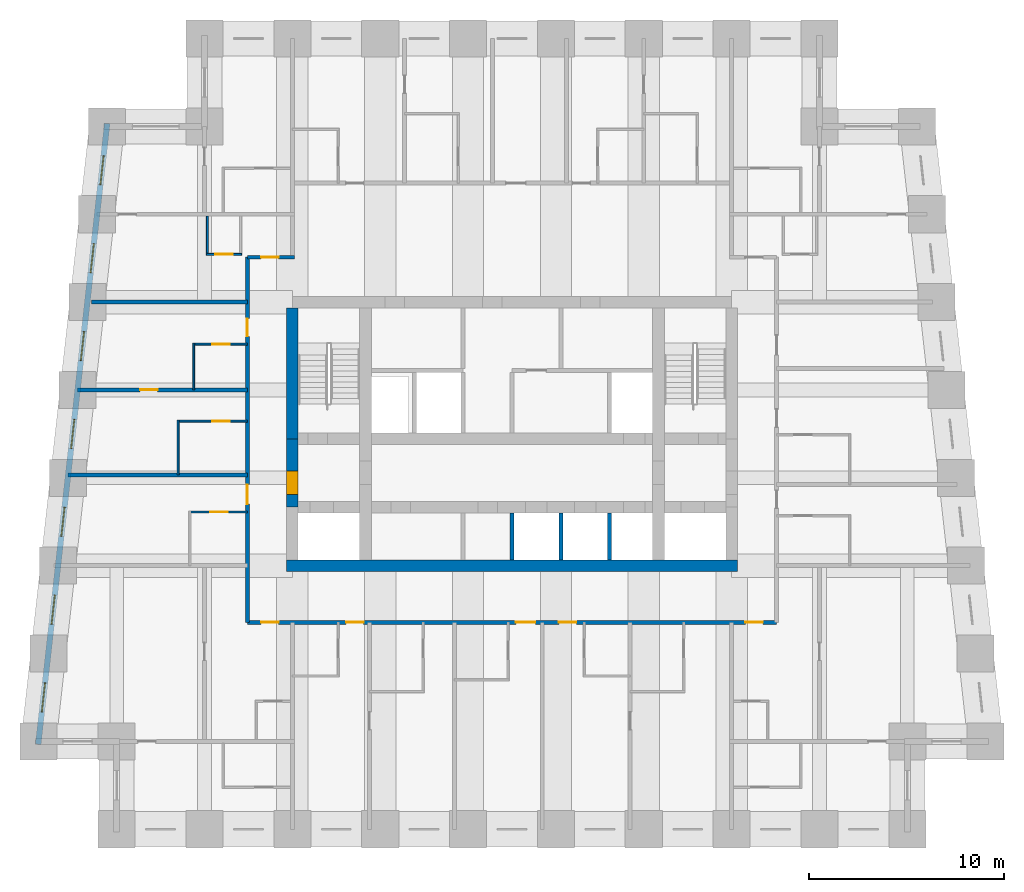
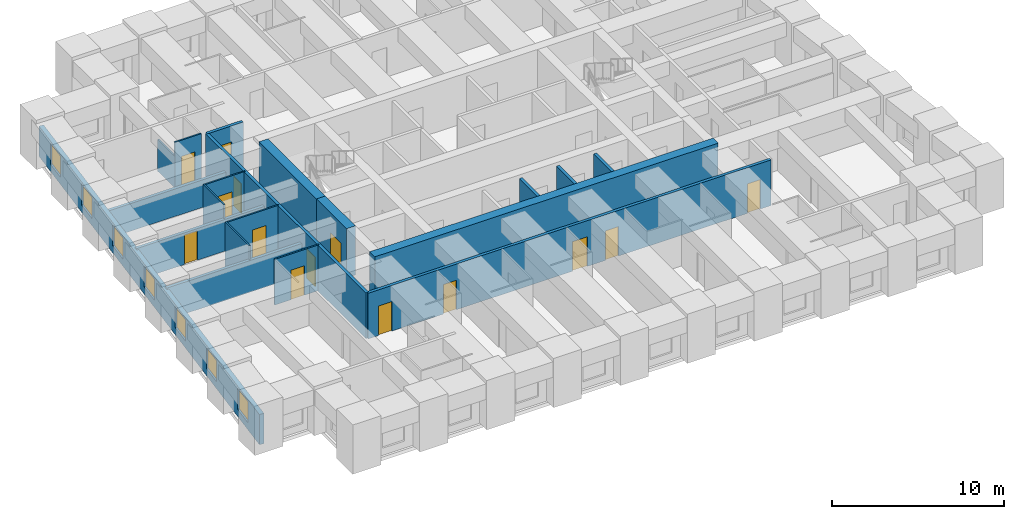
# One storey, part 3 of 8: 20 walls, 14 doors, 7 windows, 21 openings.
"""IFC4 building model written with IfcOpenShell, lengths in metres."""

from ifc_helpers import new_model, si_unit, direction, frame, frame_2d, origin, place, context, subcontext, project, spatial, rectangle, extrude, material, layer, layer_set, type_object, element, fill, save


model = new_model("IFC4")

# Units and contexts
model_context = context("Model", 3, precision=1e-05, world=origin(), true_north=direction((0.0, 1.0)))
body_context = subcontext(model_context, "Body", "Model", "MODEL_VIEW")
ifc_project = project(units=[si_unit("LENGTHUNIT", "METRE"), si_unit("AREAUNIT", "SQUARE_METRE"), si_unit("VOLUMEUNIT", "CUBIC_METRE"), si_unit("PLANEANGLEUNIT", "RADIAN"), si_unit("MASSUNIT", "GRAM", prefix="KILO")], contexts=[model_context])

# Site, building, storey
site_placement = place(None, origin())
site = spatial("IfcSite", under=ifc_project, at=site_placement, CompositionType="ELEMENT")
building_placement = place(site_placement, origin())
building = spatial("IfcBuilding", under=site, at=building_placement, Name="Kilele Tower Hotel", CompositionType="ELEMENT")
storey_placement = place(building_placement, frame((0.0, 0.0, 117.89990234375)))
storey = spatial("IfcBuildingStorey", under=building, at=storey_placement, Name="L30", CompositionType="ELEMENT", Elevation=117.89990234375)

# Wall, opening, door
ifc_material_1 = material(Name="Moisture-resistant board")
ifc_layer_1 = layer(ifc_material_1, 0.10009765625)
ifc_layer_set_1 = layer_set([ifc_layer_1], Name="Moisture-resistant board")
wall_type_1 = type_object("IfcWallType", Name="Bathroom partition 100", PredefinedType="PLUMBINGWALL", material=ifc_layer_set_1)
wall_1_placement = place(storey_placement, frame((11.199951171875, 16.25, 0.0), z_axis=(0.0, 0.0, 1.0), x_axis=(-1.0, 0.0, 0.0)))
wall_1 = element("IfcWall", 1, at=wall_1_placement, inside=storey, type_object=wall_type_1, Name="Bathroom partition 100 L30", PredefinedType="PLUMBINGWALL", context=body_context, shape_type="SweptSolid", body=[
    extrude(rectangle(XDim=3.0, YDim=0.10009765625, at=frame_2d((1.5, 0.0))), origin(), (0.0, 0.0, 1.0), 3.25),
])
opening_1_placement = place(wall_1_placement, frame((1.89990234375, 0.0, 0.0), z_axis=(0.0, 0.0, 1.0), x_axis=(-1.0, 0.0, 0.0)))
opening_1 = element("IfcOpeningElement", 2, at=opening_1_placement, cuts=wall_1, Name="Opening D2A", PredefinedType="OPENING", context=body_context, shape_type="SweptSolid", body=[
    extrude(rectangle(XDim=0.89990234375, YDim=2.10009765625, at=frame_2d((0.449951171875, 1.050048828125))), frame((0.0, 0.06005859375, 0.0), z_axis=(0.0, -1.0, 0.0), x_axis=(1.0, 0.0, 0.0)), (0.0, 0.0, 1.0), 0.1201171875),
])
ifc_material_2 = material(Name="Timber door leaf in hardwood frame", Category="wood")
door_type_1 = type_object("IfcDoorType", Name="Bathroom door 900", OperationType="SINGLE_SWING_LEFT", PredefinedType="DOOR", material=ifc_material_2)
door_1_placement = place(opening_1_placement, origin())
door_1 = element("IfcDoor", 3, at=door_1_placement, inside=storey, type_object=door_type_1, Name="Bathroom door 3014B", OperationType="SINGLE_SWING_RIGHT", OverallHeight=2.10009765625, OverallWidth=0.89990234375, PredefinedType="DOOR", context=body_context, shape_type="SweptSolid", body=[
    extrude(rectangle(XDim=0.89990234375, YDim=2.10009765625, at=frame_2d((0.449951171875, 1.050048828125))), frame((0.0, 0.02490234375, 0.0), z_axis=(0.0, -1.0, 0.0), x_axis=(1.0, 0.0, 0.0)), (0.0, 0.0, 1.0), 0.050048828125),
])
fill(opening_1, door_1)

# Wall
wall_2_placement = place(storey_placement, frame((7.64990234375, 18.14990234375, 0.0), z_axis=(0.0, 0.0, 1.0), x_axis=(0.0, 1.0, 0.0)))
element("IfcWall", 4, at=wall_2_placement, inside=storey, type_object=wall_type_1, Name="Bathroom partition 100 L30", PredefinedType="PLUMBINGWALL", context=body_context, shape_type="SweptSolid", body=[
    extrude(rectangle(XDim=2.800048828125, YDim=0.10009765625, at=frame_2d((1.39990234375, 0.0))), origin(), (0.0, 0.0, 1.0), 3.25),
])

# Wall, opening, door
wall_3_placement = place(storey_placement, frame((11.199951171875, 20.89990234375, 0.0), z_axis=(0.0, 0.0, 1.0), x_axis=(-1.0, 0.0, 0.0)))
wall_3 = element("IfcWall", 5, at=wall_3_placement, inside=storey, type_object=wall_type_1, Name="Bathroom partition 100 L30", PredefinedType="PLUMBINGWALL", context=body_context, shape_type="SweptSolid", body=[
    extrude(rectangle(XDim=3.599853515625, YDim=0.10009765625, at=frame_2d((1.7998046875, 0.0))), origin(), (0.0, 0.0, 1.0), 3.25),
])
opening_2_placement = place(wall_3_placement, frame((1.7998046875, 0.0, 0.0), z_axis=(0.0, 0.0, 1.0), x_axis=(-1.0, 0.0, 0.0)))
opening_2 = element("IfcOpeningElement", 6, at=opening_2_placement, cuts=wall_3, Name="Opening D2A", PredefinedType="OPENING", context=body_context, shape_type="SweptSolid", body=[
    extrude(rectangle(XDim=0.89990234375, YDim=2.10009765625, at=frame_2d((0.449951171875, 1.050048828125))), frame((0.0, 0.06005859375, 0.0), z_axis=(0.0, -1.0, 0.0), x_axis=(1.0, 0.0, 0.0)), (0.0, 0.0, 1.0), 0.1201171875),
])
door_2_placement = place(opening_2_placement, origin())
door_2 = element("IfcDoor", 7, at=door_2_placement, inside=storey, type_object=door_type_1, Name="Bathroom door 3015B", OperationType="SINGLE_SWING_RIGHT", OverallHeight=2.10009765625, OverallWidth=0.89990234375, PredefinedType="DOOR", context=body_context, shape_type="SweptSolid", body=[
    extrude(rectangle(XDim=0.89990234375, YDim=2.10009765625, at=frame_2d((0.449951171875, 1.050048828125))), frame((0.0, 0.02490234375, 0.0), z_axis=(0.0, -1.0, 0.0), x_axis=(1.0, 0.0, 0.0)), (0.0, 0.0, 1.0), 0.050048828125),
])
fill(opening_2, door_2)

# Wall
wall_4_placement = place(storey_placement, frame((8.449951171875, 22.5, 0.0), z_axis=(0.0, 0.0, 1.0), x_axis=(0.0, 1.0, 0.0)))
element("IfcWall", 8, at=wall_4_placement, inside=storey, type_object=wall_type_1, Name="Bathroom partition 100 L30", PredefinedType="PLUMBINGWALL", context=body_context, shape_type="SweptSolid", body=[
    extrude(rectangle(XDim=2.39990234375, YDim=0.10009765625, at=frame_2d((1.199951171875, 0.0))), origin(), (0.0, 0.0, 1.0), 3.25),
])

# Wall, opening, door
wall_5_placement = place(storey_placement, frame((11.199951171875, 24.85009765625, 0.0), z_axis=(0.0, 0.0, 1.0), x_axis=(-1.0, 0.0, 0.0)))
wall_5 = element("IfcWall", 9, at=wall_5_placement, inside=storey, type_object=wall_type_1, Name="Bathroom partition 100 L30", PredefinedType="PLUMBINGWALL", context=body_context, shape_type="SweptSolid", body=[
    extrude(rectangle(XDim=2.800048828125, YDim=0.10009765625, at=frame_2d((1.39990234375, 0.0))), origin(), (0.0, 0.0, 1.0), 3.25),
])
opening_3_placement = place(wall_5_placement, frame((1.7998046875, 0.0, 0.0), z_axis=(0.0, 0.0, 1.0), x_axis=(-1.0, 0.0, 0.0)))
opening_3 = element("IfcOpeningElement", 10, at=opening_3_placement, cuts=wall_5, Name="Opening D2A", PredefinedType="OPENING", context=body_context, shape_type="SweptSolid", body=[
    extrude(rectangle(XDim=0.89990234375, YDim=2.10009765625, at=frame_2d((0.449951171875, 1.050048828125))), frame((0.0, 0.06005859375, 0.0), z_axis=(0.0, -1.0, 0.0), x_axis=(1.0, 0.0, 0.0)), (0.0, 0.0, 1.0), 0.1201171875),
])
door_3_placement = place(opening_3_placement, origin())
door_3 = element("IfcDoor", 11, at=door_3_placement, inside=storey, type_object=door_type_1, Name="Bathroom door 3016B", OperationType="SINGLE_SWING_RIGHT", OverallHeight=2.10009765625, OverallWidth=0.89990234375, PredefinedType="DOOR", context=body_context, shape_type="SweptSolid", body=[
    extrude(rectangle(XDim=0.89990234375, YDim=2.10009765625, at=frame_2d((0.449951171875, 1.050048828125))), frame((0.0, 0.02490234375, 0.0), z_axis=(0.0, -1.0, 0.0), x_axis=(1.0, 0.0, 0.0)), (0.0, 0.0, 1.0), 0.050048828125),
])
fill(opening_3, door_3)

# Wall
wall_6_placement = place(storey_placement, frame((9.14990234375, 31.39990234375, 0.0), z_axis=(0.0, 0.0, 1.0), x_axis=(0.0, -1.0, 0.0)))
element("IfcWall", 12, at=wall_6_placement, inside=storey, type_object=wall_type_1, Name="Bathroom partition 100 L30", PredefinedType="PLUMBINGWALL", context=body_context, shape_type="SweptSolid", body=[
    extrude(rectangle(XDim=2.0, YDim=0.10009765625, at=frame_2d((1.0, 0.0))), origin(), (0.0, 0.0, 1.0), 2.25),
])

# Wall, opening, door
wall_7_placement = place(storey_placement, frame((10.89990234375, 29.449951171875, 0.0), z_axis=(0.0, 0.0, 1.0), x_axis=(-1.0, 0.0, 0.0)))
wall_7 = element("IfcWall", 13, at=wall_7_placement, inside=storey, type_object=wall_type_1, Name="Bathroom partition 100 L30", PredefinedType="PLUMBINGWALL", context=body_context, shape_type="SweptSolid", body=[
    extrude(rectangle(XDim=1.7998046875, YDim=0.10009765625, at=frame_2d((0.89990234375, 0.0))), origin(), (0.0, 0.0, 1.0), 3.25),
])
opening_4_placement = place(wall_7_placement, frame((0.449951171875, 0.0, 0.0)))
opening_4 = element("IfcOpeningElement", 14, at=opening_4_placement, cuts=wall_7, Name="Opening D2A", PredefinedType="OPENING", context=body_context, shape_type="SweptSolid", body=[
    extrude(rectangle(XDim=0.89990234375, YDim=2.10009765625, at=frame_2d((0.449951171875, 1.050048828125))), frame((0.0, 0.06005859375, 0.0), z_axis=(0.0, -1.0, 0.0), x_axis=(1.0, 0.0, 0.0)), (0.0, 0.0, 1.0), 0.1201171875),
])
door_4_placement = place(opening_4_placement, origin())
door_4 = element("IfcDoor", 15, at=door_4_placement, inside=storey, type_object=door_type_1, Name="Bathroom door 3026P", OperationType="SINGLE_SWING_LEFT", OverallHeight=2.10009765625, OverallWidth=0.89990234375, PredefinedType="DOOR", context=body_context, shape_type="SweptSolid", body=[
    extrude(rectangle(XDim=0.89990234375, YDim=2.10009765625, at=frame_2d((0.449951171875, 1.050048828125))), frame((0.0, 0.02490234375, 0.0), z_axis=(0.0, -1.0, 0.0), x_axis=(1.0, 0.0, 0.0)), (0.0, 0.0, 1.0), 0.050048828125),
])
fill(opening_4, door_4)

# Walls
ifc_material_3 = material(Name="Concrete C60/75", Category="concrete")
ifc_layer_2 = layer(ifc_material_3, 0.60009765625)
ifc_layer_set_2 = layer_set([ifc_layer_2], Name="Concrete C60/75")
wall_type_2 = type_object("IfcWallType", Name="Core wall 600 C60/75", PredefinedType="SHEAR", material=ifc_layer_set_2)
wall_8_placement = place(storey_placement, frame((13.199951171875, 13.5, 0.0), z_axis=(0.0, 0.0, 1.0), x_axis=(1.0, 0.0, 0.0)))
element("IfcWall", 16, at=wall_8_placement, inside=storey, type_object=wall_type_2, Name="Core wall S L30", PredefinedType="SHEAR", context=body_context, shape_type="SweptSolid", body=[
    extrude(rectangle(XDim=23.10009765625, YDim=0.60009765625, at=frame_2d((11.550048828125, 0.0))), origin(), (0.0, 0.0, 1.0), 3.5),
])
wall_9_placement = place(storey_placement, frame((13.5, 26.699951171875, 0.0), z_axis=(0.0, 0.0, 1.0), x_axis=(0.0, -1.0, 0.0)))
element("IfcWall", 17, at=wall_9_placement, inside=storey, type_object=wall_type_2, Name="Core wall W1 L30", PredefinedType="SHEAR", context=body_context, shape_type="SweptSolid", body=[
    extrude(rectangle(XDim=6.699951171875, YDim=0.60009765625, at=frame_2d((3.35009765625, 0.0))), origin(), (0.0, 0.0, 1.0), 3.5),
])

# Wall, opening, door
wall_10_placement = place(storey_placement, frame((13.5, 20.0, 0.0), z_axis=(0.0, 0.0, 1.0), x_axis=(0.0, -1.0, 0.0)))
wall_10 = element("IfcWall", 18, at=wall_10_placement, inside=storey, type_object=wall_type_2, Name="Core wall W2 L30", PredefinedType="SHEAR", context=body_context, shape_type="SweptSolid", body=[
    extrude(rectangle(XDim=3.5, YDim=0.60009765625, at=frame_2d((1.75, 0.0))), origin(), (0.0, 0.0, 1.0), 3.5),
])
opening_5_placement = place(wall_10_placement, frame((1.64990234375, 0.0, 0.0)))
opening_5 = element("IfcOpeningElement", 19, at=opening_5_placement, cuts=wall_10, Name="Opening D4", PredefinedType="OPENING", context=body_context, shape_type="SweptSolid", body=[
    extrude(rectangle(XDim=1.199951171875, YDim=2.10009765625, at=frame_2d((0.60009765625, 1.050048828125))), frame((0.0, 0.31005859375, 0.0), z_axis=(0.0, -1.0, 0.0), x_axis=(1.0, 0.0, 0.0)), (0.0, 0.0, 1.0), 0.6201171875),
])
ifc_material_4 = material(Name="Timber door leaf in hardwood frame", Category="wood")
door_type_2 = type_object("IfcDoorType", Name="Firefighting lobby door 1200", OperationType="SINGLE_SWING_LEFT", PredefinedType="DOOR", material=ifc_material_4)
door_5_placement = place(opening_5_placement, origin())
door_5 = element("IfcDoor", 20, at=door_5_placement, inside=storey, type_object=door_type_2, Name="Lobby door L30", OperationType="SINGLE_SWING_RIGHT", OverallHeight=2.10009765625, OverallWidth=1.199951171875, PredefinedType="DOOR", context=body_context, shape_type="SweptSolid", body=[
    extrude(rectangle(XDim=1.199951171875, YDim=2.10009765625, at=frame_2d((0.60009765625, 1.050048828125))), frame((0.0, 0.2998046875, 0.0), z_axis=(0.0, -1.0, 0.0), x_axis=(1.0, 0.0, 0.0)), (0.0, 0.0, 1.0), 0.599609375),
])
fill(opening_5, door_5)

# Wall, openings, doors
ifc_material_5 = material(Name="Blockwork, plastered both sides", Category="masonry")
ifc_layer_3 = layer(ifc_material_5, 0.199951171875)
ifc_layer_set_3 = layer_set([ifc_layer_3], Name="Blockwork, plastered both sides")
wall_type_3 = type_object("IfcWallType", Name="Corridor wall 200", PredefinedType="PARTITIONING", material=ifc_layer_set_3)
wall_11_placement = place(storey_placement, frame((11.199951171875, 10.60009765625, 0.0), z_axis=(0.0, 0.0, 1.0), x_axis=(1.0, 0.0, 0.0)))
wall_11 = element("IfcWall", 21, at=wall_11_placement, inside=storey, type_object=wall_type_3, Name="Corridor wall 200 L30", PredefinedType="PARTITIONING", context=body_context, shape_type="SweptSolid", body=[
    extrude(rectangle(XDim=27.10009765625, YDim=0.199951171875, at=frame_2d((13.550048828125, 0.0))), origin(), (0.0, 0.0, 1.0), 3.25),
])
opening_6_placement = place(wall_11_placement, frame((5.949951171875, 0.0, 0.0), z_axis=(0.0, 0.0, 1.0), x_axis=(-1.0, 0.0, 0.0)))
opening_6 = element("IfcOpeningElement", 22, at=opening_6_placement, cuts=wall_11, Name="Opening D1", PredefinedType="OPENING", context=body_context, shape_type="SweptSolid", body=[
    extrude(rectangle(XDim=0.89990234375, YDim=2.10009765625, at=frame_2d((0.449951171875, 1.050048828125))), frame((0.0, 0.10986328125, 0.0), z_axis=(0.0, -1.0, 0.0), x_axis=(1.0, 0.0, 0.0)), (0.0, 0.0, 1.0), 0.219970703125),
])
opening_7_placement = place(wall_11_placement, frame((14.75, 0.0, 0.0), z_axis=(0.0, 0.0, 1.0), x_axis=(-1.0, 0.0, 0.0)))
opening_7 = element("IfcOpeningElement", 23, at=opening_7_placement, cuts=wall_11, Name="Opening D1A", PredefinedType="OPENING", context=body_context, shape_type="SweptSolid", body=[
    extrude(rectangle(XDim=1.0, YDim=2.10009765625, at=frame_2d((0.5, 1.050048828125))), frame((0.0, 0.10986328125, 0.0), z_axis=(0.0, -1.0, 0.0), x_axis=(1.0, 0.0, 0.0)), (0.0, 0.0, 1.0), 0.219970703125),
])
opening_8_placement = place(wall_11_placement, frame((16.849853515625, 0.0, 0.0), z_axis=(0.0, 0.0, 1.0), x_axis=(-1.0, 0.0, 0.0)))
opening_8 = element("IfcOpeningElement", 24, at=opening_8_placement, cuts=wall_11, Name="Opening D1", PredefinedType="OPENING", context=body_context, shape_type="SweptSolid", body=[
    extrude(rectangle(XDim=0.89990234375, YDim=2.10009765625, at=frame_2d((0.449951171875, 1.050048828125))), frame((0.0, 0.10986328125, 0.0), z_axis=(0.0, -1.0, 0.0), x_axis=(1.0, 0.0, 0.0)), (0.0, 0.0, 1.0), 0.219970703125),
])
opening_9_placement = place(wall_11_placement, frame((1.599853515625, 0.0, 0.0), z_axis=(0.0, 0.0, 1.0), x_axis=(-1.0, 0.0, 0.0)))
opening_9 = element("IfcOpeningElement", 25, at=opening_9_placement, cuts=wall_11, Name="Opening D1", PredefinedType="OPENING", context=body_context, shape_type="SweptSolid", body=[
    extrude(rectangle(XDim=0.89990234375, YDim=2.10009765625, at=frame_2d((0.449951171875, 1.050048828125))), frame((0.0, 0.10986328125, 0.0), z_axis=(0.0, -1.0, 0.0), x_axis=(1.0, 0.0, 0.0)), (0.0, 0.0, 1.0), 0.219970703125),
])
opening_10_placement = place(wall_11_placement, frame((26.39990234375, 0.0, 0.0), z_axis=(0.0, 0.0, 1.0), x_axis=(-1.0, 0.0, 0.0)))
opening_10 = element("IfcOpeningElement", 26, at=opening_10_placement, cuts=wall_11, Name="Opening D1", PredefinedType="OPENING", context=body_context, shape_type="SweptSolid", body=[
    extrude(rectangle(XDim=0.89990234375, YDim=2.10009765625, at=frame_2d((0.449951171875, 1.050048828125))), frame((0.0, 0.10986328125, 0.0), z_axis=(0.0, -1.0, 0.0), x_axis=(1.0, 0.0, 0.0)), (0.0, 0.0, 1.0), 0.219970703125),
])
ifc_material_6 = material(Name="Timber door leaf in hardwood frame", Category="wood")
door_type_3 = type_object("IfcDoorType", Name="Guest room entrance door 1000", OperationType="SINGLE_SWING_LEFT", PredefinedType="DOOR", material=ifc_material_6)
door_6_placement = place(opening_7_placement, origin())
door_6 = element("IfcDoor", 27, at=door_6_placement, inside=storey, type_object=door_type_3, Name="Room entrance 3003", OperationType="SINGLE_SWING_LEFT", OverallHeight=2.10009765625, OverallWidth=1.0, PredefinedType="DOOR", context=body_context, shape_type="SweptSolid", body=[
    extrude(rectangle(XDim=1.0, YDim=2.10009765625, at=frame_2d((0.5, 1.050048828125))), frame((0.0, 0.02490234375, 0.0), z_axis=(0.0, -1.0, 0.0), x_axis=(1.0, 0.0, 0.0)), (0.0, 0.0, 1.0), 0.050048828125),
])
fill(opening_7, door_6)
ifc_material_7 = material(Name="Timber door leaf in hardwood frame", Category="wood")
door_type_4 = type_object("IfcDoorType", Name="Guest room entrance door 900", OperationType="SINGLE_SWING_LEFT", PredefinedType="DOOR", material=ifc_material_7)
door_7_placement = place(opening_6_placement, origin())
door_7 = element("IfcDoor", 28, at=door_7_placement, inside=storey, type_object=door_type_4, Name="Room entrance 3001", OperationType="SINGLE_SWING_LEFT", OverallHeight=2.10009765625, OverallWidth=0.89990234375, PredefinedType="DOOR", context=body_context, shape_type="SweptSolid", body=[
    extrude(rectangle(XDim=0.89990234375, YDim=2.10009765625, at=frame_2d((0.449951171875, 1.050048828125))), frame((0.0, 0.02490234375, 0.0), z_axis=(0.0, -1.0, 0.0), x_axis=(1.0, 0.0, 0.0)), (0.0, 0.0, 1.0), 0.050048828125),
])
fill(opening_6, door_7)
door_8_placement = place(opening_8_placement, origin())
door_8 = element("IfcDoor", 29, at=door_8_placement, inside=storey, type_object=door_type_4, Name="Room entrance 3004", OperationType="SINGLE_SWING_LEFT", OverallHeight=2.10009765625, OverallWidth=0.89990234375, PredefinedType="DOOR", context=body_context, shape_type="SweptSolid", body=[
    extrude(rectangle(XDim=0.89990234375, YDim=2.10009765625, at=frame_2d((0.449951171875, 1.050048828125))), frame((0.0, 0.02490234375, 0.0), z_axis=(0.0, -1.0, 0.0), x_axis=(1.0, 0.0, 0.0)), (0.0, 0.0, 1.0), 0.050048828125),
])
fill(opening_8, door_8)
door_9_placement = place(opening_9_placement, origin())
door_9 = element("IfcDoor", 30, at=door_9_placement, inside=storey, type_object=door_type_4, Name="Room entrance 3017", OperationType="SINGLE_SWING_LEFT", OverallHeight=2.10009765625, OverallWidth=0.89990234375, PredefinedType="DOOR", context=body_context, shape_type="SweptSolid", body=[
    extrude(rectangle(XDim=0.89990234375, YDim=2.10009765625, at=frame_2d((0.449951171875, 1.050048828125))), frame((0.0, 0.02490234375, 0.0), z_axis=(0.0, -1.0, 0.0), x_axis=(1.0, 0.0, 0.0)), (0.0, 0.0, 1.0), 0.050048828125),
])
fill(opening_9, door_9)
door_10_placement = place(opening_10_placement, origin())
door_10 = element("IfcDoor", 31, at=door_10_placement, inside=storey, type_object=door_type_4, Name="Room entrance 3020", OperationType="SINGLE_SWING_RIGHT", OverallHeight=2.10009765625, OverallWidth=0.89990234375, PredefinedType="DOOR", context=body_context, shape_type="SweptSolid", body=[
    extrude(rectangle(XDim=0.89990234375, YDim=2.10009765625, at=frame_2d((0.449951171875, 1.050048828125))), frame((0.0, 0.02490234375, 0.0), z_axis=(0.0, -1.0, 0.0), x_axis=(1.0, 0.0, 0.0)), (0.0, 0.0, 1.0), 0.050048828125),
])
fill(opening_10, door_10)

# Wall, opening, door
wall_12_placement = place(storey_placement, frame((11.199951171875, 29.300048828125, 0.0), z_axis=(0.0, 0.0, 1.0), x_axis=(1.0, 0.0, 0.0)))
wall_12 = element("IfcWall", 32, at=wall_12_placement, inside=storey, type_object=wall_type_3, Name="Corridor wall 200 L30", PredefinedType="PARTITIONING", context=body_context, shape_type="SweptSolid", body=[
    extrude(rectangle(XDim=2.400146484375, YDim=0.199951171875, at=frame_2d((1.2001953125, 0.0))), origin(), (0.0, 0.0, 1.0), 3.25),
])
opening_11_placement = place(wall_12_placement, frame((0.699951171875, 0.0, 0.0)))
opening_11 = element("IfcOpeningElement", 33, at=opening_11_placement, cuts=wall_12, Name="Opening D1", PredefinedType="OPENING", context=body_context, shape_type="SweptSolid", body=[
    extrude(rectangle(XDim=0.89990234375, YDim=2.10009765625, at=frame_2d((0.449951171875, 1.050048828125))), frame((0.0, 0.10986328125, 0.0), z_axis=(0.0, -1.0, 0.0), x_axis=(1.0, 0.0, 0.0)), (0.0, 0.0, 1.0), 0.219970703125),
])
door_11_placement = place(opening_11_placement, origin())
door_11 = element("IfcDoor", 34, at=door_11_placement, inside=storey, type_object=door_type_4, Name="Room entrance 3026", OperationType="SINGLE_SWING_RIGHT", OverallHeight=2.10009765625, OverallWidth=0.89990234375, PredefinedType="DOOR", context=body_context, shape_type="SweptSolid", body=[
    extrude(rectangle(XDim=0.89990234375, YDim=2.10009765625, at=frame_2d((0.449951171875, 1.050048828125))), frame((0.0, 0.02490234375, 0.0), z_axis=(0.0, -1.0, 0.0), x_axis=(1.0, 0.0, 0.0)), (0.0, 0.0, 1.0), 0.050048828125),
])
fill(opening_11, door_11)

# Wall, openings, doors
wall_13_placement = place(storey_placement, frame((11.199951171875, 10.60009765625, 0.0), z_axis=(0.0, 0.0, 1.0), x_axis=(0.0, 1.0, 0.0)))
wall_13 = element("IfcWall", 35, at=wall_13_placement, inside=storey, type_object=wall_type_3, Name="Corridor wall 200 L30", PredefinedType="PARTITIONING", context=body_context, shape_type="SweptSolid", body=[
    extrude(rectangle(XDim=18.699951171875, YDim=0.199951171875, at=frame_2d((9.35009765625, 0.0))), origin(), (0.0, 0.0, 1.0), 3.25),
])
opening_12_placement = place(wall_13_placement, frame((6.050048828125, 0.0, 0.0)))
opening_12 = element("IfcOpeningElement", 36, at=opening_12_placement, cuts=wall_13, Name="Opening D8", PredefinedType="OPENING", context=body_context, shape_type="SweptSolid", body=[
    extrude(rectangle(XDim=1.0, YDim=2.10009765625, at=frame_2d((0.5, 1.050048828125))), frame((0.0, 0.10986328125, 0.0), z_axis=(0.0, -1.0, 0.0), x_axis=(1.0, 0.0, 0.0)), (0.0, 0.0, 1.0), 0.219970703125),
])
opening_13_placement = place(wall_13_placement, frame((14.64990234375, 0.0, 0.0)))
opening_13 = element("IfcOpeningElement", 37, at=opening_13_placement, cuts=wall_13, Name="Opening D1", PredefinedType="OPENING", context=body_context, shape_type="SweptSolid", body=[
    extrude(rectangle(XDim=0.89990234375, YDim=2.10009765625, at=frame_2d((0.449951171875, 1.050048828125))), frame((0.0, 0.10986328125, 0.0), z_axis=(0.0, -1.0, 0.0), x_axis=(1.0, 0.0, 0.0)), (0.0, 0.0, 1.0), 0.219970703125),
])
ifc_material_8 = material(Name="Timber door leaf in hardwood frame", Category="wood")
door_type_5 = type_object("IfcDoorType", Name="Door 1000", OperationType="SINGLE_SWING_LEFT", PredefinedType="DOOR", material=ifc_material_8)
door_12_placement = place(opening_12_placement, origin())
door_12 = element("IfcDoor", 38, at=door_12_placement, inside=storey, type_object=door_type_5, Name="Room entrance 3014", OperationType="SINGLE_SWING_LEFT", OverallHeight=2.10009765625, OverallWidth=1.0, PredefinedType="DOOR", context=body_context, shape_type="SweptSolid", body=[
    extrude(rectangle(XDim=1.0, YDim=2.10009765625, at=frame_2d((0.5, 1.050048828125))), frame((0.0, 0.02490234375, 0.0), z_axis=(0.0, -1.0, 0.0), x_axis=(1.0, 0.0, 0.0)), (0.0, 0.0, 1.0), 0.050048828125),
])
fill(opening_12, door_12)
door_13_placement = place(opening_13_placement, origin())
door_13 = element("IfcDoor", 39, at=door_13_placement, inside=storey, type_object=door_type_4, Name="Room entrance 3016", OperationType="SINGLE_SWING_LEFT", OverallHeight=2.10009765625, OverallWidth=0.89990234375, PredefinedType="DOOR", context=body_context, shape_type="SweptSolid", body=[
    extrude(rectangle(XDim=0.89990234375, YDim=2.10009765625, at=frame_2d((0.449951171875, 1.050048828125))), frame((0.0, 0.02490234375, 0.0), z_axis=(0.0, -1.0, 0.0), x_axis=(1.0, 0.0, 0.0)), (0.0, 0.0, 1.0), 0.050048828125),
])
fill(opening_13, door_13)

# Wall
ifc_material_9 = material(Name="Blockwork, plastered both sides", Category="masonry")
ifc_layer_4 = layer(ifc_material_9, 0.199951171875)
ifc_layer_set_4 = layer_set([ifc_layer_4], Name="Blockwork, plastered both sides")
wall_type_4 = type_object("IfcWallType", Name="Party wall 200", PredefinedType="PARTITIONING", material=ifc_layer_set_4)
wall_14_placement = place(storey_placement, frame((11.199951171875, 18.14990234375, 0.0), z_axis=(0.0, 0.0, 1.0), x_axis=(-1.0, 0.0, 0.0)))
element("IfcWall", 40, at=wall_14_placement, inside=storey, type_object=wall_type_4, Name="Party wall 200 L30", PredefinedType="PARTITIONING", context=body_context, shape_type="SweptSolid", body=[
    extrude(rectangle(XDim=9.182373046875, YDim=0.199951171875, at=frame_2d((4.59130859375, 0.0))), origin(), (0.0, 0.0, 1.0), 2.25),
])

# Wall, opening, door
wall_15_placement = place(storey_placement, frame((11.199951171875, 22.5, 0.0), z_axis=(0.0, 0.0, 1.0), x_axis=(-1.0, 0.0, 0.0)))
wall_15 = element("IfcWall", 41, at=wall_15_placement, inside=storey, type_object=wall_type_4, Name="Party wall 200 L30", PredefinedType="PARTITIONING", context=body_context, shape_type="SweptSolid", body=[
    extrude(rectangle(XDim=8.698974609375, YDim=0.199951171875, at=frame_2d((4.349609375, 0.0))), origin(), (0.0, 0.0, 1.0), 2.25),
])
opening_14_placement = place(wall_15_placement, frame((5.5, 0.0, 0.0), z_axis=(0.0, 0.0, 1.0), x_axis=(-1.0, 0.0, 0.0)))
opening_14 = element("IfcOpeningElement", 42, at=opening_14_placement, cuts=wall_15, Name="Opening D3", PredefinedType="OPENING", context=body_context, shape_type="SweptSolid", body=[
    extrude(rectangle(XDim=0.89990234375, YDim=2.10009765625, at=frame_2d((0.449951171875, 1.050048828125))), frame((0.0, 0.10986328125, 0.0), z_axis=(0.0, -1.0, 0.0), x_axis=(1.0, 0.0, 0.0)), (0.0, 0.0, 1.0), 0.219970703125),
])
ifc_material_10 = material(Name="Timber door leaf in hardwood frame", Category="wood")
door_type_6 = type_object("IfcDoorType", Name="Suite internal door 900", OperationType="SINGLE_SWING_LEFT", PredefinedType="DOOR", material=ifc_material_10)
door_14_placement = place(opening_14_placement, origin())
door_14 = element("IfcDoor", 43, at=door_14_placement, inside=storey, type_object=door_type_6, Name="Suite door 3016", OperationType="SINGLE_SWING_LEFT", OverallHeight=2.10009765625, OverallWidth=0.89990234375, PredefinedType="DOOR", context=body_context, shape_type="SweptSolid", body=[
    extrude(rectangle(XDim=0.89990234375, YDim=2.10009765625, at=frame_2d((0.449951171875, 1.050048828125))), frame((0.0, 0.02490234375, 0.0), z_axis=(0.0, -1.0, 0.0), x_axis=(1.0, 0.0, 0.0)), (0.0, 0.0, 1.0), 0.050048828125),
])
fill(opening_14, door_14)

# Wall
wall_16_placement = place(storey_placement, frame((11.199951171875, 27.0, 0.0), z_axis=(0.0, 0.0, 1.0), x_axis=(-1.0, 0.0, 0.0)))
element("IfcWall", 44, at=wall_16_placement, inside=storey, type_object=wall_type_4, Name="Party wall 200 L30", PredefinedType="PARTITIONING", context=body_context, shape_type="SweptSolid", body=[
    extrude(rectangle(XDim=7.976806640625, YDim=0.199951171875, at=frame_2d((3.98828125, 0.0))), origin(), (0.0, 0.0, 1.0), 1.9501953125),
])

# Wall, openings, windows
ifc_material_11 = material(Name="Concrete C40/50 precast", Category="concrete")
ifc_layer_5 = layer(ifc_material_11, 0.260009765625, Name="Precast backing", Category="LoadBearing")
ifc_material_12 = material(Name="Reconstituted stone finish", Category="masonry")
ifc_layer_6 = layer(ifc_material_12, 0.0400390625, Name="Face mix", Category="Finish")
ifc_layer_set_5 = layer_set([ifc_layer_5, ifc_layer_6], Name="Precast concrete C40/50, reconstituted stone finish")
wall_type_5 = type_object("IfcWallType", Name="Precast stone facade wall 300", PredefinedType="STANDARD", material=ifc_layer_set_5)
wall_17_placement = place(storey_placement, frame((4.0166015625, 36.149169921875, 0.0), z_axis=(0.0, 0.0, 1.0), x_axis=(-0.110433201132, -0.993883548555, 0.0)))
wall_17 = element("IfcWall", 45, at=wall_17_placement, inside=storey, type_object=wall_type_5, Name="Facade wall L30 edge 12", PredefinedType="STANDARD", context=body_context, shape_type="SweptSolid", body=[
    extrude(rectangle(XDim=31.994140625, YDim=0.300048828125, at=frame_2d((15.9970703125, 0.0))), origin(), (0.0, 0.0, 1.0), 2.150146484375),
])
opening_15_placement = place(wall_17_placement, frame((1.6640625, 0.0, 0.5)))
opening_15 = element("IfcOpeningElement", 46, at=opening_15_placement, cuts=wall_17, Name="Opening W2", PredefinedType="OPENING", context=body_context, shape_type="SweptSolid", body=[
    extrude(rectangle(XDim=1.5, YDim=1.5, at=frame_2d((0.75, 0.75))), frame((0.0, 0.159912109375, 0.0), z_axis=(0.0, -1.0, 0.0), x_axis=(1.0, 0.0, 0.0)), (0.0, 0.0, 1.0), 0.320068359375),
])
opening_16_placement = place(wall_17_placement, frame((6.19189453125, 0.0, 0.5)))
opening_16 = element("IfcOpeningElement", 47, at=opening_16_placement, cuts=wall_17, Name="Opening W2", PredefinedType="OPENING", context=body_context, shape_type="SweptSolid", body=[
    extrude(rectangle(XDim=1.5, YDim=1.5, at=frame_2d((0.75, 0.75))), frame((0.0, 0.159912109375, 0.0), z_axis=(0.0, -1.0, 0.0), x_axis=(1.0, 0.0, 0.0)), (0.0, 0.0, 1.0), 0.320068359375),
])
opening_17_placement = place(wall_17_placement, frame((10.718994140625, 0.0, 0.5)))
opening_17 = element("IfcOpeningElement", 48, at=opening_17_placement, cuts=wall_17, Name="Opening W2", PredefinedType="OPENING", context=body_context, shape_type="SweptSolid", body=[
    extrude(rectangle(XDim=1.5, YDim=1.5, at=frame_2d((0.75, 0.75))), frame((0.0, 0.159912109375, 0.0), z_axis=(0.0, -1.0, 0.0), x_axis=(1.0, 0.0, 0.0)), (0.0, 0.0, 1.0), 0.320068359375),
])
opening_18_placement = place(wall_17_placement, frame((15.2470703125, 0.0, 0.5)))
opening_18 = element("IfcOpeningElement", 49, at=opening_18_placement, cuts=wall_17, Name="Opening W2", PredefinedType="OPENING", context=body_context, shape_type="SweptSolid", body=[
    extrude(rectangle(XDim=1.5, YDim=1.5, at=frame_2d((0.75, 0.75))), frame((0.0, 0.159912109375, 0.0), z_axis=(0.0, -1.0, 0.0), x_axis=(1.0, 0.0, 0.0)), (0.0, 0.0, 1.0), 0.320068359375),
])
opening_19_placement = place(wall_17_placement, frame((19.77490234375, 0.0, 0.5)))
opening_19 = element("IfcOpeningElement", 50, at=opening_19_placement, cuts=wall_17, Name="Opening W2", PredefinedType="OPENING", context=body_context, shape_type="SweptSolid", body=[
    extrude(rectangle(XDim=1.5, YDim=1.5, at=frame_2d((0.75, 0.75))), frame((0.0, 0.159912109375, 0.0), z_axis=(0.0, -1.0, 0.0), x_axis=(1.0, 0.0, 0.0)), (0.0, 0.0, 1.0), 0.320068359375),
])
opening_20_placement = place(wall_17_placement, frame((24.302001953125, 0.0, 0.5)))
opening_20 = element("IfcOpeningElement", 51, at=opening_20_placement, cuts=wall_17, Name="Opening W2", PredefinedType="OPENING", context=body_context, shape_type="SweptSolid", body=[
    extrude(rectangle(XDim=1.5, YDim=1.5, at=frame_2d((0.75, 0.75))), frame((0.0, 0.159912109375, 0.0), z_axis=(0.0, -1.0, 0.0), x_axis=(1.0, 0.0, 0.0)), (0.0, 0.0, 1.0), 0.320068359375),
])
opening_21_placement = place(wall_17_placement, frame((28.830078125, 0.0, 0.5)))
opening_21 = element("IfcOpeningElement", 52, at=opening_21_placement, cuts=wall_17, Name="Opening W2", PredefinedType="OPENING", context=body_context, shape_type="SweptSolid", body=[
    extrude(rectangle(XDim=1.5, YDim=1.5, at=frame_2d((0.75, 0.75))), frame((0.0, 0.159912109375, 0.0), z_axis=(0.0, -1.0, 0.0), x_axis=(1.0, 0.0, 0.0)), (0.0, 0.0, 1.0), 0.320068359375),
])
ifc_material_13 = material(Name="Aluminium frame, clear double glazing", Category="aluminium")
window_type = type_object("IfcWindowType", Name="Window W2 1500 x 1500", PartitioningType="SINGLE_PANEL", PredefinedType="WINDOW", material=ifc_material_13)
window_1_placement = place(opening_15_placement, origin())
window_1 = element("IfcWindow", 53, at=window_1_placement, inside=storey, type_object=window_type, Name="Window L30", OverallHeight=1.5, OverallWidth=1.5, PartitioningType="SINGLE_PANEL", PredefinedType="WINDOW", context=body_context, shape_type="SweptSolid", body=[
    extrude(rectangle(XDim=1.5, YDim=1.5, at=frame_2d((0.75, 0.75))), frame((0.0, 0.030029296875, 0.0), z_axis=(0.0, -1.0, 0.0), x_axis=(1.0, 0.0, 0.0)), (0.0, 0.0, 1.0), 0.06005859375),
])
fill(opening_15, window_1)
window_2_placement = place(opening_16_placement, origin())
window_2 = element("IfcWindow", 54, at=window_2_placement, inside=storey, type_object=window_type, Name="Window L30", OverallHeight=1.5, OverallWidth=1.5, PartitioningType="SINGLE_PANEL", PredefinedType="WINDOW", context=body_context, shape_type="SweptSolid", body=[
    extrude(rectangle(XDim=1.5, YDim=1.5, at=frame_2d((0.75, 0.75))), frame((0.0, 0.030029296875, 0.0), z_axis=(0.0, -1.0, 0.0), x_axis=(1.0, 0.0, 0.0)), (0.0, 0.0, 1.0), 0.06005859375),
])
fill(opening_16, window_2)
window_3_placement = place(opening_17_placement, origin())
window_3 = element("IfcWindow", 55, at=window_3_placement, inside=storey, type_object=window_type, Name="Window L30", OverallHeight=1.5, OverallWidth=1.5, PartitioningType="SINGLE_PANEL", PredefinedType="WINDOW", context=body_context, shape_type="SweptSolid", body=[
    extrude(rectangle(XDim=1.5, YDim=1.5, at=frame_2d((0.75, 0.75))), frame((0.0, 0.030029296875, 0.0), z_axis=(0.0, -1.0, 0.0), x_axis=(1.0, 0.0, 0.0)), (0.0, 0.0, 1.0), 0.06005859375),
])
fill(opening_17, window_3)
window_4_placement = place(opening_18_placement, origin())
window_4 = element("IfcWindow", 56, at=window_4_placement, inside=storey, type_object=window_type, Name="Window L30", OverallHeight=1.5, OverallWidth=1.5, PartitioningType="SINGLE_PANEL", PredefinedType="WINDOW", context=body_context, shape_type="SweptSolid", body=[
    extrude(rectangle(XDim=1.5, YDim=1.5, at=frame_2d((0.75, 0.75))), frame((0.0, 0.030029296875, 0.0), z_axis=(0.0, -1.0, 0.0), x_axis=(1.0, 0.0, 0.0)), (0.0, 0.0, 1.0), 0.06005859375),
])
fill(opening_18, window_4)
window_5_placement = place(opening_19_placement, origin())
window_5 = element("IfcWindow", 57, at=window_5_placement, inside=storey, type_object=window_type, Name="Window L30", OverallHeight=1.5, OverallWidth=1.5, PartitioningType="SINGLE_PANEL", PredefinedType="WINDOW", context=body_context, shape_type="SweptSolid", body=[
    extrude(rectangle(XDim=1.5, YDim=1.5, at=frame_2d((0.75, 0.75))), frame((0.0, 0.030029296875, 0.0), z_axis=(0.0, -1.0, 0.0), x_axis=(1.0, 0.0, 0.0)), (0.0, 0.0, 1.0), 0.06005859375),
])
fill(opening_19, window_5)
window_6_placement = place(opening_20_placement, origin())
window_6 = element("IfcWindow", 58, at=window_6_placement, inside=storey, type_object=window_type, Name="Window L30", OverallHeight=1.5, OverallWidth=1.5, PartitioningType="SINGLE_PANEL", PredefinedType="WINDOW", context=body_context, shape_type="SweptSolid", body=[
    extrude(rectangle(XDim=1.5, YDim=1.5, at=frame_2d((0.75, 0.75))), frame((0.0, 0.030029296875, 0.0), z_axis=(0.0, -1.0, 0.0), x_axis=(1.0, 0.0, 0.0)), (0.0, 0.0, 1.0), 0.06005859375),
])
fill(opening_20, window_6)
window_7_placement = place(opening_21_placement, origin())
window_7 = element("IfcWindow", 59, at=window_7_placement, inside=storey, type_object=window_type, Name="Window L30", OverallHeight=1.5, OverallWidth=1.5, PartitioningType="SINGLE_PANEL", PredefinedType="WINDOW", context=body_context, shape_type="SweptSolid", body=[
    extrude(rectangle(XDim=1.5, YDim=1.5, at=frame_2d((0.75, 0.75))), frame((0.0, 0.030029296875, 0.0), z_axis=(0.0, -1.0, 0.0), x_axis=(1.0, 0.0, 0.0)), (0.0, 0.0, 1.0), 0.06005859375),
])
fill(opening_21, window_7)

# Walls
ifc_material_14 = material(Name="Blockwork, fire-rated", Category="masonry")
ifc_layer_7 = layer(ifc_material_14, 0.199951171875)
ifc_layer_set_6 = layer_set([ifc_layer_7], Name="Blockwork, fire-rated")
wall_type_6 = type_object("IfcWallType", Name="Shaft wall 200", PredefinedType="PARTITIONING", material=ifc_layer_set_6)
for number, where, z_axis, x_axis, name in (
    (60, (24.75, 13.800048828125, 0.0), (0.0, 0.0, 1.0), (0.0, 1.0, 0.0), "Shaft wall 200 L30"),
    (61, (27.25, 13.800048828125, 0.0), (0.0, 0.0, 1.0), (0.0, 1.0, 0.0), "Shaft wall 200 L30"),
    (62, (29.75, 13.800048828125, 0.0), (0.0, 0.0, 1.0), (0.0, 1.0, 0.0), "Shaft wall 200 L30"),
):
    element("IfcWall", number, at=place(storey_placement, frame(where, z_axis=z_axis, x_axis=x_axis)), inside=storey, type_object=wall_type_6, Name=name, PredefinedType="PARTITIONING", context=body_context, shape_type="SweptSolid", body=[
        extrude(rectangle(XDim=2.39990234375, YDim=0.199951171875, at=frame_2d((1.199951171875, 0.0))), origin(), (0.0, 0.0, 1.0), 3.25),
    ])

save(model, "model.ifc")
